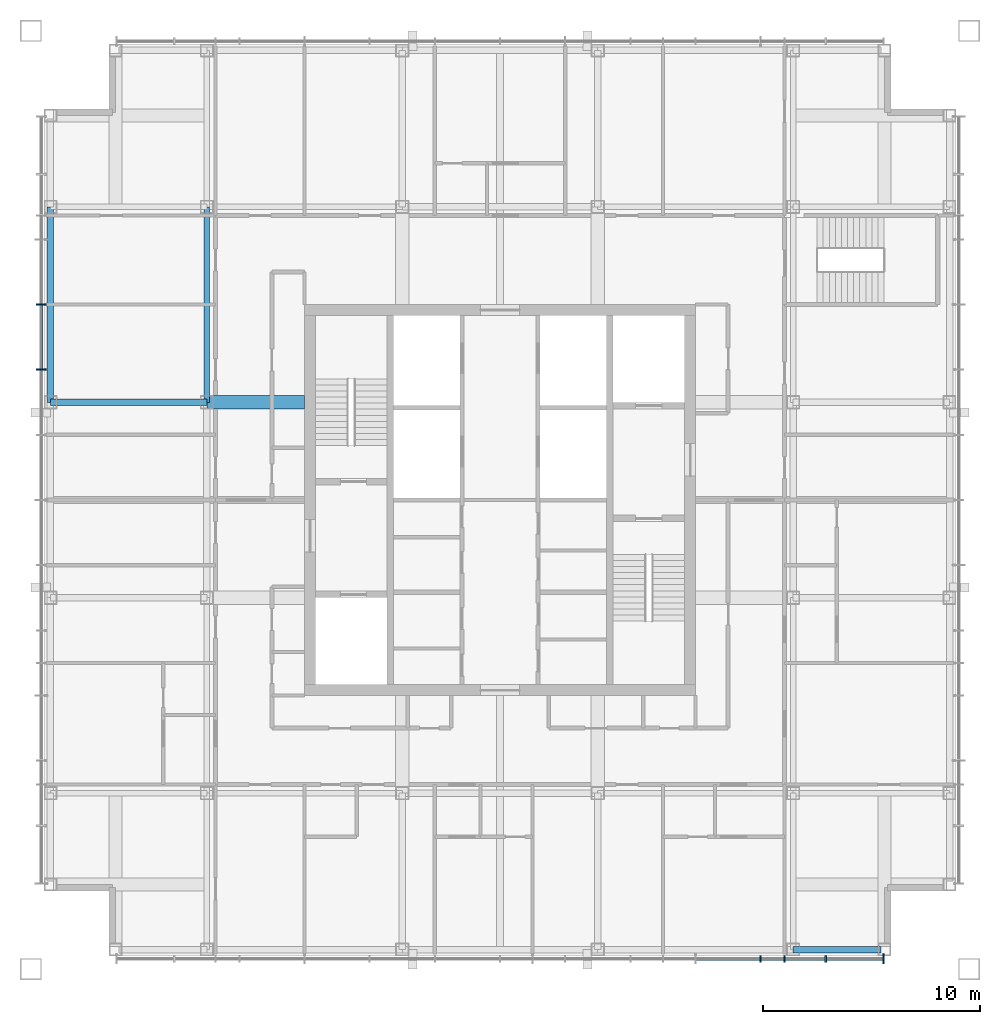
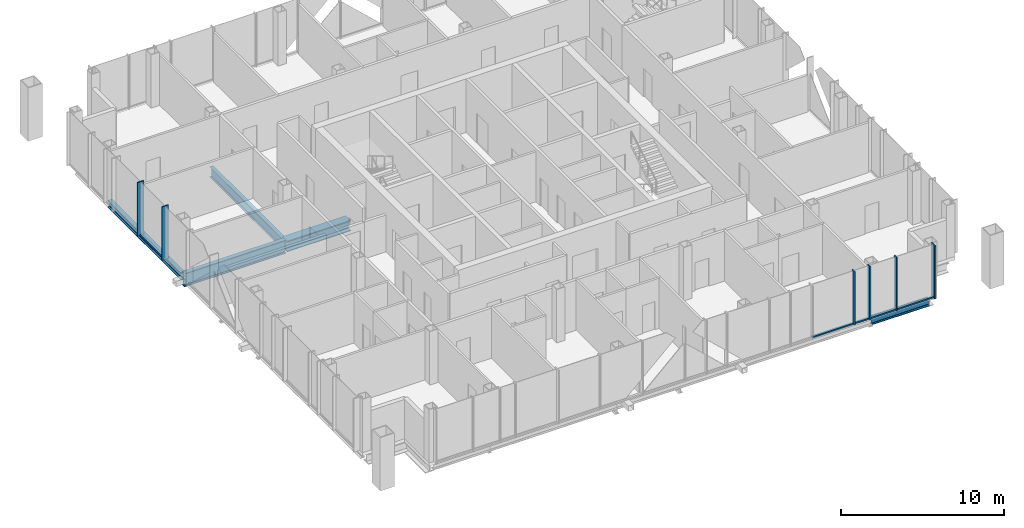
# One storey, part 3 of 12: 11 members, 5 beams, 2 elements without a shape of their own.
"""IFC4 building model written with IfcOpenShell, lengths in metres."""

from ifc_helpers import new_model, si_unit, direction, frame, origin, origin_2d, place, context, subcontext, project, spatial, rectangle, i_section, extrude, material, layer, layer_set, material_profile, profile_set, type_object, element, aggregate, save


model = new_model("IFC4")

# Units and contexts
model_context = context("Model", 3, precision=1e-05, world=origin(), true_north=direction((0.0, 1.0)))
body_context = subcontext(model_context, "Body", "Model", "MODEL_VIEW")
ifc_project = project(units=[si_unit("LENGTHUNIT", "METRE"), si_unit("AREAUNIT", "SQUARE_METRE"), si_unit("VOLUMEUNIT", "CUBIC_METRE"), si_unit("PLANEANGLEUNIT", "RADIAN"), si_unit("MASSUNIT", "GRAM", prefix="KILO")], contexts=[model_context])

# Site, building, storey
site_placement = place(None, origin())
site = spatial("IfcSite", under=ifc_project, at=site_placement, CompositionType="ELEMENT")
building_placement = place(site_placement, origin())
building = spatial("IfcBuilding", under=site, at=building_placement, Name="Malebo Sky Hospital", CompositionType="ELEMENT")
storey_placement = place(building_placement, frame((0.0, 0.0, 266.0)))
storey = spatial("IfcBuildingStorey", under=building, at=storey_placement, Name="L64", CompositionType="ELEMENT", Elevation=266.0)

# Curtain wall, member
ifc_material_1 = material(Name="Anodised aluminium, natural silver", Category="aluminium")
ifc_layer_1 = layer(ifc_material_1, 0.25)
ifc_layer_set_1 = layer_set([ifc_layer_1], Name="WARD CURTAIN WALL EAST AND WEST")
curtain_wall_type_1 = type_object("IfcCurtainWallType", Name="WARD CURTAIN WALL EAST AND WEST", PredefinedType="NOTDEFINED", material=ifc_layer_set_1)
curtain_wall_1_placement = place(storey_placement, origin())
curtain_wall_1 = element("IfcCurtainWall", 1, at=curtain_wall_1_placement, inside=storey, type_object=curtain_wall_type_1, Name="EW curtain wall W", PredefinedType="NOTDEFINED")
ifc_material_profile_1 = material_profile(ifc_material_1, rectangle(XDim=0.14990234375, YDim=0.10009765625, at=origin_2d()), Name="ALUMINIUM TRANSOM 150x100")
ifc_profile_set_1 = profile_set([ifc_material_profile_1], Name="Anodised aluminium, natural silver")
member_type_1 = type_object("IfcMemberType", Name="ALUMINIUM TRANSOM 150x100", PredefinedType="USERDEFINED", material=ifc_profile_set_1)
member_1_placement = place(storey_placement, frame((38.875, 68.03759765625, 0.050048828125), z_axis=(0.0, 1.0, 0.0), x_axis=(-1.0, 0.0, 0.0)))
member_1 = element("IfcMember", 2, at=member_1_placement, type_object=member_type_1, Name="Transom 11", ObjectType="TRANSOM", PredefinedType="USERDEFINED", context=body_context, shape_type="SweptSolid", body=[
    extrude(rectangle(XDim=0.14990234375, YDim=0.10009765625, at=origin_2d()), origin(), (0.0, 0.0, 1.0), 2.9248046875),
])

# Curtain wall, members
ifc_layer_2 = layer(ifc_material_1, 0.25)
ifc_layer_set_2 = layer_set([ifc_layer_2], Name="WARD CURTAIN WALL NORTH AND SOUTH")
curtain_wall_type_2 = type_object("IfcCurtainWallType", Name="WARD CURTAIN WALL NORTH AND SOUTH", PredefinedType="NOTDEFINED", material=ifc_layer_set_2)
curtain_wall_2_placement = place(storey_placement, origin())
curtain_wall_2 = element("IfcCurtainWall", 3, at=curtain_wall_2_placement, inside=storey, type_object=curtain_wall_type_2, Name="NS curtain wall S", PredefinedType="NOTDEFINED")
member_2_placement = place(storey_placement, frame((77.625, 40.875, 0.050048828125), z_axis=(-1.0, 0.0, 0.0), x_axis=(0.0, -1.0, 0.0)))
member_2 = element("IfcMember", 4, at=member_2_placement, type_object=member_type_1, Name="Transom 1", ObjectType="TRANSOM", PredefinedType="USERDEFINED", context=body_context, shape_type="SweptSolid", body=[
    extrude(rectangle(XDim=0.14990234375, YDim=0.10009765625, at=origin_2d()), origin(), (0.0, 0.0, 1.0), 2.58740234375),
])
member_3_placement = place(storey_placement, frame((74.96240234375, 40.875, 0.050048828125), z_axis=(-1.0, 0.0, 0.0), x_axis=(0.0, -1.0, 0.0)))
member_3 = element("IfcMember", 5, at=member_3_placement, type_object=member_type_1, Name="Transom 2", ObjectType="TRANSOM", PredefinedType="USERDEFINED", context=body_context, shape_type="SweptSolid", body=[
    extrude(rectangle(XDim=0.14990234375, YDim=0.10009765625, at=origin_2d()), origin(), (0.0, 0.0, 1.0), 1.824951171875),
])
member_4_placement = place(storey_placement, frame((73.0625, 40.875, 0.050048828125), z_axis=(-1.0, 0.0, 0.0), x_axis=(0.0, -1.0, 0.0)))
member_4 = element("IfcMember", 6, at=member_4_placement, type_object=member_type_1, Name="Transom 3", ObjectType="TRANSOM", PredefinedType="USERDEFINED", context=body_context, shape_type="SweptSolid", body=[
    extrude(rectangle(XDim=0.14990234375, YDim=0.10009765625, at=origin_2d()), origin(), (0.0, 0.0, 1.0), 1.02490234375),
])
member_5_placement = place(storey_placement, frame((71.96240234375, 40.875, 0.050048828125), z_axis=(-1.0, 0.0, 0.0), x_axis=(0.0, -1.0, 0.0)))
member_5 = element("IfcMember", 7, at=member_5_placement, type_object=member_type_1, Name="Transom 4", ObjectType="TRANSOM", PredefinedType="USERDEFINED", context=body_context, shape_type="SweptSolid", body=[
    extrude(rectangle(XDim=0.14990234375, YDim=0.10009765625, at=origin_2d()), origin(), (0.0, 0.0, 1.0), 2.9248046875),
])
ifc_material_profile_2 = material_profile(ifc_material_1, rectangle(XDim=0.074951171875, YDim=0.300048828125, at=origin_2d()), Name="CW1 ALUMINIUM FIN MULLION 75x300")
ifc_profile_set_2 = profile_set([ifc_material_profile_2], Name="Anodised aluminium, natural silver")
member_type_2 = type_object("IfcMemberType", Name="CW1 ALUMINIUM FIN MULLION 75x300", PredefinedType="MULLION", material=ifc_profile_set_2)
member_6_placement = place(storey_placement, frame((75.0, 40.875, 0.0), z_axis=(0.0, 0.0, 1.0), x_axis=(-1.0, 0.0, 0.0)))
member_6 = element("IfcMember", 8, at=member_6_placement, type_object=member_type_2, Name="Fin mullion 2", PredefinedType="MULLION", context=body_context, shape_type="SweptSolid", body=[
    extrude(rectangle(XDim=0.074951171875, YDim=0.300048828125, at=origin_2d()), origin(), (0.0, 0.0, 1.0), 4.0),
])
member_7_placement = place(storey_placement, frame((73.10009765625, 40.875, 0.0), z_axis=(0.0, 0.0, 1.0), x_axis=(-1.0, 0.0, 0.0)))
member_7 = element("IfcMember", 9, at=member_7_placement, type_object=member_type_2, Name="Fin mullion 3", PredefinedType="MULLION", context=body_context, shape_type="SweptSolid", body=[
    extrude(rectangle(XDim=0.074951171875, YDim=0.300048828125, at=origin_2d()), origin(), (0.0, 0.0, 1.0), 4.0),
])
member_8_placement = place(storey_placement, frame((72.0, 40.875, 0.0), z_axis=(0.0, 0.0, 1.0), x_axis=(-1.0, 0.0, 0.0)))
member_8 = element("IfcMember", 10, at=member_8_placement, type_object=member_type_2, Name="Fin mullion 4", PredefinedType="MULLION", context=body_context, shape_type="SweptSolid", body=[
    extrude(rectangle(XDim=0.074951171875, YDim=0.300048828125, at=origin_2d()), origin(), (0.0, 0.0, 1.0), 4.0),
])
ifc_material_profile_3 = material_profile(ifc_material_1, rectangle(XDim=0.074951171875, YDim=0.449951171875, at=origin_2d()), Name="CW1 ALUMINIUM FIN MULLION 75x450")
ifc_profile_set_3 = profile_set([ifc_material_profile_3], Name="Anodised aluminium, natural silver")
member_type_3 = type_object("IfcMemberType", Name="CW1 ALUMINIUM FIN MULLION 75x450", PredefinedType="MULLION", material=ifc_profile_set_3)
member_9_placement = place(storey_placement, frame((77.66259765625, 40.875, 0.0), z_axis=(0.0, 0.0, 1.0), x_axis=(-1.0, 0.0, 0.0)))
member_9 = element("IfcMember", 11, at=member_9_placement, type_object=member_type_3, Name="Fin mullion 1", PredefinedType="MULLION", context=body_context, shape_type="SweptSolid", body=[
    extrude(rectangle(XDim=0.074951171875, YDim=0.449951171875, at=origin_2d()), origin(), (0.0, 0.0, 1.0), 4.0),
])
aggregate(curtain_wall_2, [member_9, member_6, member_7, member_8, member_2, member_3, member_4, member_5])

# Member
ifc_material_profile_4 = material_profile(ifc_material_1, rectangle(XDim=0.074951171875, YDim=0.449951171875, at=origin_2d()), Name="CW2 ALUMINIUM FIN MULLION 75x450")
ifc_profile_set_4 = profile_set([ifc_material_profile_4], Name="Anodised aluminium, natural silver")
member_type_4 = type_object("IfcMemberType", Name="CW2 ALUMINIUM FIN MULLION 75x450", PredefinedType="MULLION", material=ifc_profile_set_4)
member_10_placement = place(storey_placement, frame((38.875, 68.0, 0.0), z_axis=(0.0, 0.0, 1.0), x_axis=(0.0, 1.0, 0.0)))
member_10 = element("IfcMember", 12, at=member_10_placement, type_object=member_type_4, Name="Fin mullion 11", PredefinedType="MULLION", context=body_context, shape_type="SweptSolid", body=[
    extrude(rectangle(XDim=0.074951171875, YDim=0.449951171875, at=origin_2d()), origin(), (0.0, 0.0, 1.0), 4.0),
])

member_11_placement = place(storey_placement, frame((38.875, 71.0, 0.0), z_axis=(0.0, 0.0, 1.0), x_axis=(0.0, 1.0, 0.0)))
member_11 = element("IfcMember", 13, at=member_11_placement, type_object=member_type_4, Name="Fin mullion 12", PredefinedType="MULLION", context=body_context, shape_type="SweptSolid", body=[
    extrude(rectangle(XDim=0.074951171875, YDim=0.449951171875, at=origin_2d()), origin(), (0.0, 0.0, 1.0), 4.0),
])

aggregate(curtain_wall_1, [member_10, member_11, member_1])

# Beams
ifc_material_2 = material(Name="Steel S355", Category="steel")
ifc_material_profile_5 = material_profile(ifc_material_2, i_section(OverallWidth=0.305908203125, OverallDepth=0.52392578125, WebThickness=0.02099609375, FlangeThickness=0.0400390625, FilletRadius=0.027099609375, at=origin_2d()), Name="HEM 500")
ifc_profile_set_5 = profile_set([ifc_material_profile_5], Name="Steel S355")
beam_type_1 = type_object("IfcBeamType", Name="EDGE BEAM HEM 500", PredefinedType="BEAM", material=ifc_profile_set_5)
beam_1_placement = place(storey_placement, frame((39.300048828125, 66.5, -0.511962890625), z_axis=(0.0, 1.0, 0.0), x_axis=(-1.0, 0.0, 0.0)))
element("IfcBeam", 14, at=beam_1_placement, inside=storey, type_object=beam_type_1, Name="Beam 003 L64", PredefinedType="BEAM", context=body_context, shape_type="SweptSolid", body=[
    extrude(i_section(OverallWidth=0.305908203125, OverallDepth=0.52392578125, WebThickness=0.02099609375, FlangeThickness=0.0400390625, FilletRadius=0.027099609375, at=origin_2d()), origin(), (0.0, 0.0, 1.0), 9.0),
])
beam_2_placement = place(storey_placement, frame((73.5, 41.300048828125, -0.511962890625), z_axis=(1.0, 0.0, 0.0), x_axis=(0.0, 1.0, 0.0)))
element("IfcBeam", 15, at=beam_2_placement, inside=storey, type_object=beam_type_1, Name="Beam 038 L64", PredefinedType="BEAM", context=body_context, shape_type="SweptSolid", body=[
    extrude(i_section(OverallWidth=0.305908203125, OverallDepth=0.52392578125, WebThickness=0.02099609375, FlangeThickness=0.0400390625, FilletRadius=0.027099609375, at=origin_2d()), origin(), (0.0, 0.0, 1.0), 4.050048828125),
])
ifc_material_profile_6 = material_profile(ifc_material_2, i_section(OverallWidth=0.300048828125, OverallDepth=1.0, WebThickness=0.01904296875, FlangeThickness=0.035888671875, FilletRadius=0.030029296875, at=origin_2d()), Name="HEB 1000")
ifc_profile_set_6 = profile_set([ifc_material_profile_6], Name="Steel S355")
beam_type_2 = type_object("IfcBeamType", Name="FLOOR BEAM HEB 1000", PredefinedType="BEAM", material=ifc_profile_set_6)
beam_3_placement = place(storey_placement, frame((39.300048828125, 66.5, -0.75), z_axis=(1.0, 0.0, 0.0), x_axis=(0.0, 1.0, 0.0)))
element("IfcBeam", 16, at=beam_3_placement, inside=storey, type_object=beam_type_2, Name="Beam 052 L64", PredefinedType="BEAM", context=body_context, shape_type="SweptSolid", body=[
    extrude(i_section(OverallWidth=0.300048828125, OverallDepth=1.0, WebThickness=0.01904296875, FlangeThickness=0.035888671875, FilletRadius=0.030029296875, at=origin_2d()), origin(), (0.0, 0.0, 1.0), 7.199951171875),
])
ifc_material_profile_7 = material_profile(ifc_material_2, i_section(OverallWidth=0.26708984375, OverallDepth=0.761962890625, WebThickness=0.014404296875, FlangeThickness=0.021484375, FilletRadius=0.01708984375, at=origin_2d()), Name="IPE 750x173")
ifc_profile_set_7 = profile_set([ifc_material_profile_7], Name="Steel S355")
beam_type_3 = type_object("IfcBeamType", Name="FLOOR BEAM IPE 750x173", PredefinedType="BEAM", material=ifc_profile_set_7)
beam_4_placement = place(storey_placement, frame((46.5, 66.5, -0.631103515625), z_axis=(0.0, 1.0, 0.0), x_axis=(-1.0, 0.0, 0.0)))
element("IfcBeam", 17, at=beam_4_placement, inside=storey, type_object=beam_type_3, Name="Beam 010 L64", PredefinedType="BEAM", context=body_context, shape_type="SweptSolid", body=[
    extrude(i_section(OverallWidth=0.26708984375, OverallDepth=0.761962890625, WebThickness=0.014404296875, FlangeThickness=0.021484375, FilletRadius=0.01708984375, at=origin_2d()), origin(), (0.0, 0.0, 1.0), 9.0),
])
ifc_material_profile_8 = material_profile(ifc_material_2, i_section(OverallWidth=0.60009765625, OverallDepth=0.800048828125, WebThickness=0.0400390625, FlangeThickness=0.06005859375, at=origin_2d()), Name="PG 800x600x40x60")
ifc_profile_set_8 = profile_set([ifc_material_profile_8], Name="Steel S355")
beam_type_4 = type_object("IfcBeamType", Name="FLOOR BEAM PG 800x600x40x60", PredefinedType="BEAM", material=ifc_profile_set_8)
beam_5_placement = place(storey_placement, frame((46.5, 66.5, -0.64990234375), z_axis=(1.0, 0.0, 0.0), x_axis=(0.0, 1.0, 0.0)))
element("IfcBeam", 18, at=beam_5_placement, inside=storey, type_object=beam_type_4, Name="Beam 053 L64", PredefinedType="BEAM", context=body_context, shape_type="SweptSolid", body=[
    extrude(i_section(OverallWidth=0.60009765625, OverallDepth=0.800048828125, WebThickness=0.0400390625, FlangeThickness=0.06005859375, at=origin_2d()), origin(), (0.0, 0.0, 1.0), 4.5),
])

save(model, "model.ifc")
